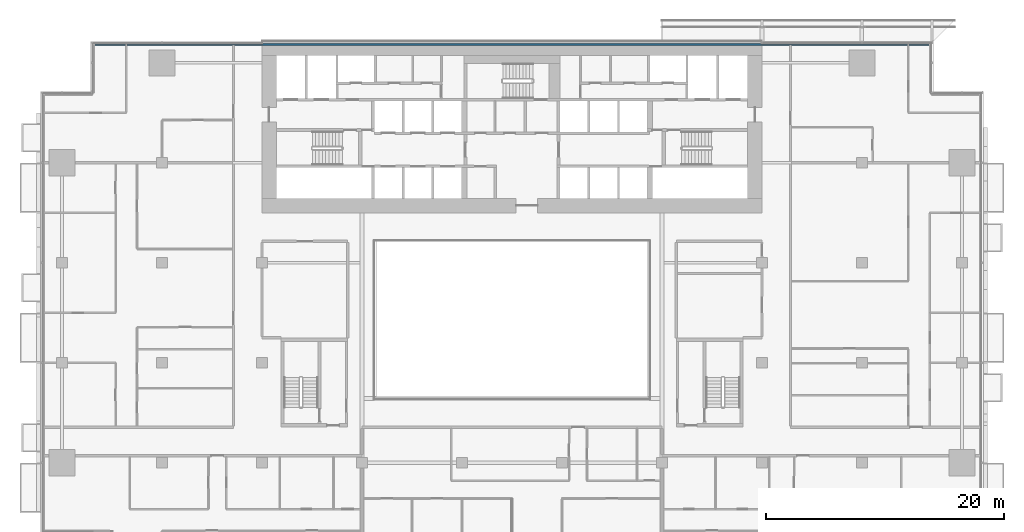
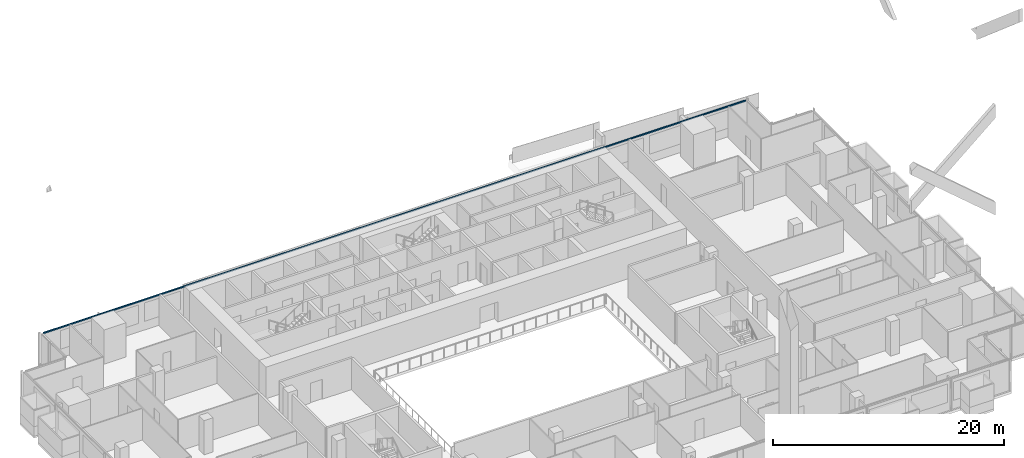
# One storey, part 9 of 30: 1 member, 1 element without a shape of its own.
"""IFC4 building model written with IfcOpenShell, lengths in metres."""

from ifc_helpers import new_model, si_unit, direction, frame, origin, origin_2d, place, context, subcontext, project, spatial, rectangle, extrude, material, material_profile, profile_set, type_object, element, aggregate, save


model = new_model("IFC4")

# Units and contexts
model_context = context("Model", 3, precision=1e-05, world=origin(), true_north=direction((0.0, 1.0)))
body_context = subcontext(model_context, "Body", "Model", "MODEL_VIEW")
ifc_project = project(units=[si_unit("LENGTHUNIT", "METRE"), si_unit("AREAUNIT", "SQUARE_METRE"), si_unit("VOLUMEUNIT", "CUBIC_METRE"), si_unit("PLANEANGLEUNIT", "RADIAN"), si_unit("MASSUNIT", "GRAM", prefix="KILO")], contexts=[model_context])

# Site, building, storey
site_placement = place(None, origin())
site = spatial("IfcSite", under=ifc_project, at=site_placement, CompositionType="ELEMENT")
building_placement = place(site_placement, origin())
building = spatial("IfcBuilding", under=site, at=building_placement, Name="Saffron Gate Tower", CompositionType="ELEMENT")
storey_placement = place(building_placement, frame((0.0, 0.0, 37.199951171875)))
storey = spatial("IfcBuildingStorey", under=building, at=storey_placement, Name="L07", CompositionType="ELEMENT", Elevation=37.199951171875)

# Curtain wall, member
ifc_material = material(Name="Aluminium, bronze anodised", Category="aluminium")
curtain_wall_type = type_object("IfcCurtainWallType", Name="CWS3 curtain wall rear facade", PredefinedType="NOTDEFINED", material=ifc_material)
curtain_wall_placement = place(storey_placement, origin())
curtain_wall = element("IfcCurtainWall", 1, at=curtain_wall_placement, inside=storey, type_object=curtain_wall_type, Name="CWS3 run 7", PredefinedType="NOTDEFINED")
ifc_material_profile = material_profile(ifc_material, rectangle(XDim=0.1201171875, YDim=0.1201171875, at=origin_2d()))
ifc_profile_set = profile_set([ifc_material_profile], Name="Aluminium, bronze anodised")
member_type = type_object("IfcMemberType", Name="CWS3 head transom", PredefinedType="USERDEFINED", material=ifc_profile_set)
member_placement = place(storey_placement, frame((122.632080078125, 75.35205078125, 3.260009765625), z_axis=(-1.0, 0.0, 0.0), x_axis=(0.0, -1.0, 0.0)))
member = element("IfcMember", 2, at=member_placement, type_object=member_type, Name="CWS3 head transom", ObjectType="TRANSOM", PredefinedType="USERDEFINED", context=body_context, shape_type="SweptSolid", body=[
    extrude(rectangle(XDim=0.1201171875, YDim=0.1201171875, at=origin_2d()), origin(), (0.0, 0.0, 1.0), 70.06396484375),
])
aggregate(curtain_wall, [member])

save(model, "model.ifc")
